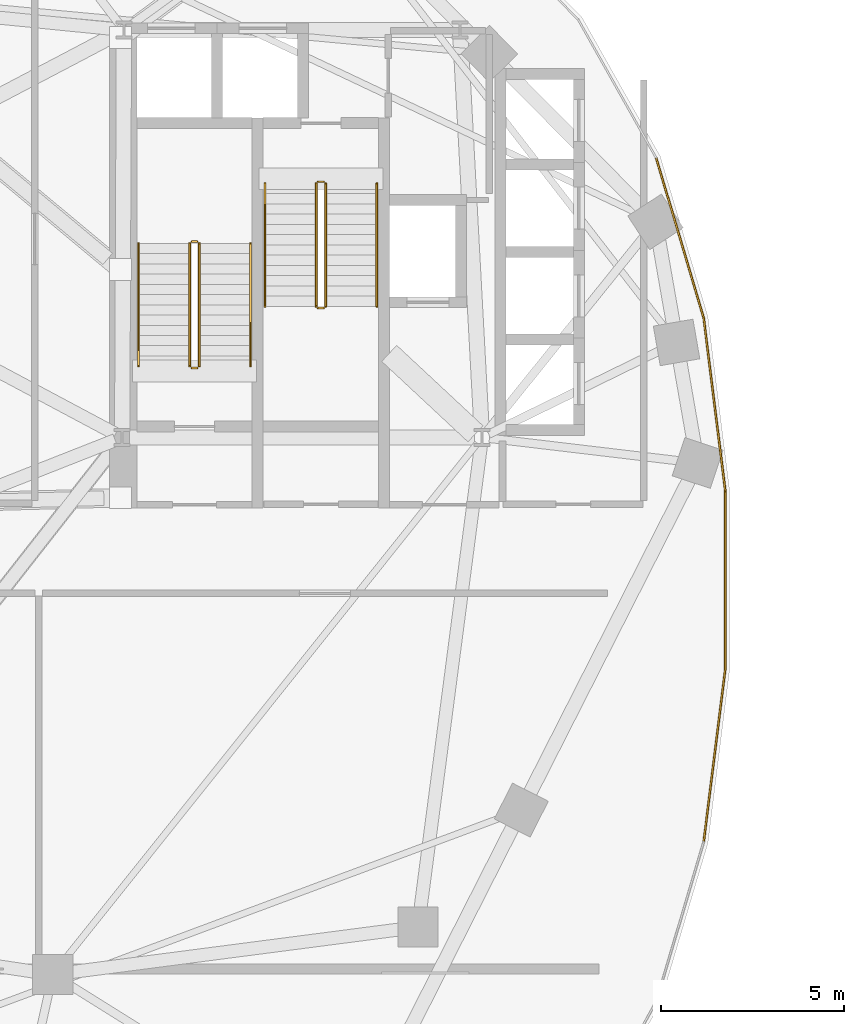
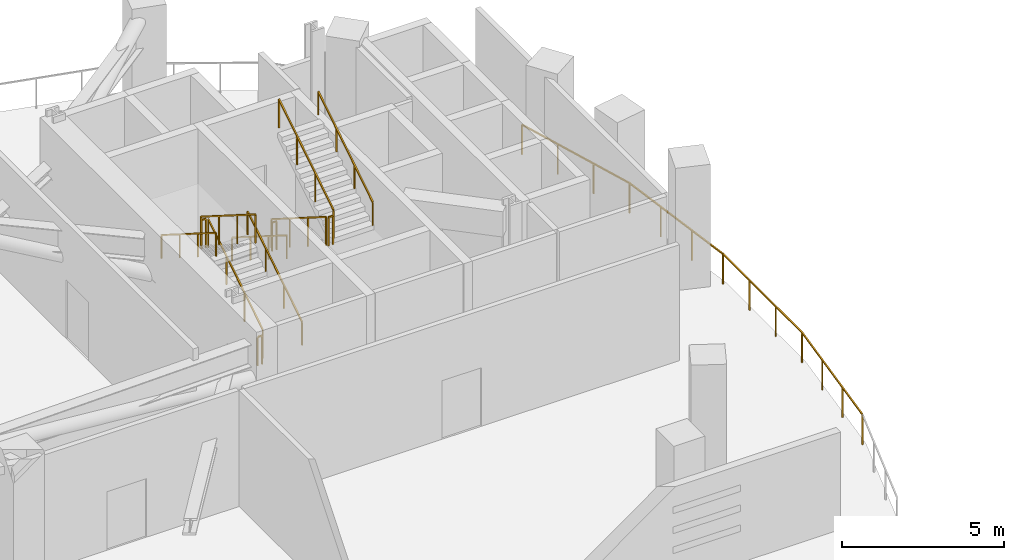
# One storey, part 9 of 12: 14 railings.
"""IFC4 building model written with IfcOpenShell, lengths in metres."""

from ifc_helpers import new_model, si_unit, direction, frame, origin, origin_2d, place, context, subcontext, project, spatial, rectangle, extrude, material, type_object, element, save


model = new_model("IFC4")

# Units and contexts
model_context = context("Model", 3, precision=1e-05, world=origin(), true_north=direction((0.0, 1.0)))
body_context = subcontext(model_context, "Body", "Model", "MODEL_VIEW")
ifc_project = project(units=[si_unit("LENGTHUNIT", "METRE"), si_unit("AREAUNIT", "SQUARE_METRE"), si_unit("VOLUMEUNIT", "CUBIC_METRE"), si_unit("PLANEANGLEUNIT", "RADIAN"), si_unit("MASSUNIT", "GRAM", prefix="KILO"), si_unit("THERMODYNAMICTEMPERATUREUNIT", "KELVIN"), si_unit("POWERUNIT", "WATT")], contexts=[model_context])

# Site, building, storey
site_placement = place(None, origin())
site = spatial("IfcSite", under=ifc_project, at=site_placement, CompositionType="ELEMENT")
building_placement = place(site_placement, origin())
building = spatial("IfcBuilding", under=site, at=building_placement, Name="Cundina Bronze Exchange", CompositionType="ELEMENT")
storey_placement = place(building_placement, frame((0.0, 0.0, 132.199951171875)))
storey = spatial("IfcBuildingStorey", under=building, at=storey_placement, Name="L34", CompositionType="ELEMENT", Elevation=132.199951171875)

# Railings
ifc_material_1 = material(Name="Anodised Bronze Aluminium 6063-T6", Category="aluminium")
railing_type_1 = type_object("IfcRailingType", Name="RLG-GRD-1150", PredefinedType="GUARDRAIL", material=ifc_material_1)
railing_1_placement = place(storey_placement, frame((-14.791015625, 2.43359375, 0.0)))
element("IfcRailing", 1, at=railing_1_placement, inside=storey, type_object=railing_type_1, Name="L34 Perimeter Safety Guardrail 01", PredefinedType="GUARDRAIL", context=body_context, shape_type="SweptSolid", body=[
    extrude(rectangle(XDim=0.048095703125, YDim=0.048095703125, at=origin_2d()), frame((0.0, 0.0, 1.1259765625), z_axis=(0.0, -1.0, 0.0), x_axis=(1.0, 0.0, 0.0)), (0.0, 0.0, 1.0), 4.8671875),
    extrude(rectangle(XDim=0.048095703125, YDim=0.048095703125, at=origin_2d()), frame((0.0, -4.8671875, 1.1259765625), z_axis=(-0.123846086367, -0.992301439529, 0.0), x_axis=(0.992301439529, -0.123846086367, 0.0)), (0.0, 0.0, 1.0), 4.778564453125),
    extrude(rectangle(XDim=0.0419921875, YDim=0.0419921875, at=origin_2d()), origin(), (0.0, 0.0, 1.0), 1.101806640625),
    extrude(rectangle(XDim=0.0419921875, YDim=0.0419921875, at=origin_2d()), frame((0.0, -1.622314453125, 0.0)), (0.0, 0.0, 1.0), 1.101806640625),
    extrude(rectangle(XDim=0.0419921875, YDim=0.0419921875, at=origin_2d()), frame((0.0, -3.244873046875, 0.0)), (0.0, 0.0, 1.0), 1.101806640625),
    extrude(rectangle(XDim=0.0419921875, YDim=0.0419921875, at=origin_2d()), frame((0.0, -4.8671875, 0.0)), (0.0, 0.0, 1.0), 1.101806640625),
    extrude(rectangle(XDim=0.0419921875, YDim=0.0419921875, at=origin_2d()), frame((-0.197265625, -6.44775390625, 0.0)), (0.0, 0.0, 1.0), 1.101806640625),
    extrude(rectangle(XDim=0.0419921875, YDim=0.0419921875, at=origin_2d()), frame((-0.39453125, -8.0283203125, 0.0)), (0.0, 0.0, 1.0), 1.101806640625),
    extrude(rectangle(XDim=0.0419921875, YDim=0.0419921875, at=origin_2d()), frame((-0.591796875, -9.60888671875, 0.0)), (0.0, 0.0, 1.0), 1.101806640625),
])
railing_2_placement = place(storey_placement, frame((-16.68310546875, 11.55078125, 0.0)))
element("IfcRailing", 2, at=railing_2_placement, inside=storey, type_object=railing_type_1, Name="L34 Perimeter Safety Guardrail 14", PredefinedType="GUARDRAIL", context=body_context, shape_type="SweptSolid", body=[
    extrude(rectangle(XDim=0.048095703125, YDim=0.048095703125, at=origin_2d()), frame((0.0, 0.0, 1.1259765625), z_axis=(0.284864013169, -0.958567939168, 0.0), x_axis=(0.958567939168, 0.284864013169, 0.0)), (0.0, 0.0, 1.0), 4.564697265625),
    extrude(rectangle(XDim=0.048095703125, YDim=0.048095703125, at=origin_2d()), frame((1.30029296875, -4.37548828125, 1.1259765625), z_axis=(0.123846086367, -0.992301439529, 0.0), x_axis=(0.992301439529, 0.123846086367, 0.0)), (0.0, 0.0, 1.0), 4.778564453125),
    extrude(rectangle(XDim=0.0419921875, YDim=0.0419921875, at=origin_2d()), origin(), (0.0, 0.0, 1.0), 1.101806640625),
    extrude(rectangle(XDim=0.0419921875, YDim=0.0419921875, at=origin_2d()), frame((0.433349609375, -1.45849609375, 0.0)), (0.0, 0.0, 1.0), 1.101806640625),
    extrude(rectangle(XDim=0.0419921875, YDim=0.0419921875, at=origin_2d()), frame((0.866943359375, -2.9169921875, 0.0)), (0.0, 0.0, 1.0), 1.101806640625),
    extrude(rectangle(XDim=0.0419921875, YDim=0.0419921875, at=origin_2d()), frame((1.30029296875, -4.37548828125, 0.0)), (0.0, 0.0, 1.0), 1.101806640625),
    extrude(rectangle(XDim=0.0419921875, YDim=0.0419921875, at=origin_2d()), frame((1.49755859375, -5.9560546875, 0.0)), (0.0, 0.0, 1.0), 1.101806640625),
    extrude(rectangle(XDim=0.0419921875, YDim=0.0419921875, at=origin_2d()), frame((1.69482421875, -7.53662109375, 0.0)), (0.0, 0.0, 1.0), 1.101806640625),
    extrude(rectangle(XDim=0.0419921875, YDim=0.0419921875, at=origin_2d()), frame((1.89208984375, -9.1171875, 0.0)), (0.0, 0.0, 1.0), 1.101806640625),
])
ifc_material_2 = material(Name="Steel ASTM A36 Painted", Category="steel")
railing_type_2 = type_object("IfcRailingType", Name="RLG-HND-900", PredefinedType="HANDRAIL", material=ifc_material_2)
railing_3_placement = place(storey_placement, frame((-27.7900390625, 5.85009765625, 0.177001953125)))
element("IfcRailing", 3, at=railing_3_placement, inside=storey, type_object=railing_type_2, Name="L34 ST-W1 stair handrail 1", PredefinedType="HANDRAIL", context=body_context, shape_type="SweptSolid", body=[
    extrude(rectangle(XDim=0.048095703125, YDim=0.048095703125, at=origin_2d()), frame((0.0, 0.0, 0.8759765625), z_axis=(0.0, 0.845372108799, 0.534177870812), x_axis=(-1.0, 0.0, 0.0)), (0.0, 0.0, 1.0), 3.974365234375),
    extrude(rectangle(XDim=0.0419921875, YDim=0.0419921875, at=origin_2d()), origin(), (0.0, 0.0, 1.0), 0.851806640625),
    extrude(rectangle(XDim=0.0419921875, YDim=0.0419921875, at=origin_2d()), frame((0.0, 1.119873046875, 0.707763671875)), (0.0, 0.0, 1.0), 0.851806640625),
    extrude(rectangle(XDim=0.0419921875, YDim=0.0419921875, at=origin_2d()), frame((0.0, 2.239990234375, 1.415283203125)), (0.0, 0.0, 1.0), 0.851806640625),
    extrude(rectangle(XDim=0.0419921875, YDim=0.0419921875, at=origin_2d()), frame((0.0, 3.35986328125, 2.123046875)), (0.0, 0.0, 1.0), 0.851806640625),
])
railing_4_placement = place(storey_placement, frame((-30.85009765625, 9.2099609375, 2.47705078125)))
element("IfcRailing", 4, at=railing_4_placement, inside=storey, type_object=railing_type_2, Name="L34 ST-W1 stair handrail 2", PredefinedType="HANDRAIL", context=body_context, shape_type="SweptSolid", body=[
    extrude(rectangle(XDim=0.048095703125, YDim=0.048095703125, at=origin_2d()), frame((0.0, 0.0, 0.8759765625), z_axis=(0.0, -0.845372108799, 0.534177870812), x_axis=(1.0, 0.0, 0.0)), (0.0, 0.0, 1.0), 3.974365234375),
    extrude(rectangle(XDim=0.0419921875, YDim=0.0419921875, at=origin_2d()), origin(), (0.0, 0.0, 1.0), 0.851806640625),
    extrude(rectangle(XDim=0.0419921875, YDim=0.0419921875, at=origin_2d()), frame((0.0, -1.119873046875, 0.707763671875)), (0.0, 0.0, 1.0), 0.851806640625),
    extrude(rectangle(XDim=0.0419921875, YDim=0.0419921875, at=origin_2d()), frame((0.0, -2.239990234375, 1.415283203125)), (0.0, 0.0, 1.0), 0.851806640625),
    extrude(rectangle(XDim=0.0419921875, YDim=0.0419921875, at=origin_2d()), frame((0.0, -3.35986328125, 2.123046875)), (0.0, 0.0, 1.0), 0.851806640625),
])
railing_5_placement = place(storey_placement, frame((-27.389892578125, 10.85009765625, 0.177001953125)))
element("IfcRailing", 5, at=railing_5_placement, inside=storey, type_object=railing_type_2, Name="L34 ST-W2 stair handrail 1", PredefinedType="HANDRAIL", context=body_context, shape_type="SweptSolid", body=[
    extrude(rectangle(XDim=0.048095703125, YDim=0.048095703125, at=origin_2d()), frame((0.0, 0.0, 0.8759765625), z_axis=(0.0, -0.845389635667, 0.534150132366), x_axis=(1.0, 0.0, 0.0)), (0.0, 0.0, 1.0), 3.974609375),
    extrude(rectangle(XDim=0.0419921875, YDim=0.0419921875, at=origin_2d()), origin(), (0.0, 0.0, 1.0), 0.851806640625),
    extrude(rectangle(XDim=0.0419921875, YDim=0.0419921875, at=origin_2d()), frame((0.0, -1.1201171875, 0.707763671875)), (0.0, 0.0, 1.0), 0.851806640625),
    extrude(rectangle(XDim=0.0419921875, YDim=0.0419921875, at=origin_2d()), frame((0.0, -2.239990234375, 1.415283203125)), (0.0, 0.0, 1.0), 0.851806640625),
    extrude(rectangle(XDim=0.0419921875, YDim=0.0419921875, at=origin_2d()), frame((0.0, -3.360107421875, 2.123046875)), (0.0, 0.0, 1.0), 0.851806640625),
])
railing_6_placement = place(storey_placement, frame((-24.330078125, 7.489990234375, 2.47705078125)))
element("IfcRailing", 6, at=railing_6_placement, inside=storey, type_object=railing_type_2, Name="L34 ST-W2 stair handrail 2", PredefinedType="HANDRAIL", context=body_context, shape_type="SweptSolid", body=[
    extrude(rectangle(XDim=0.048095703125, YDim=0.048095703125, at=origin_2d()), frame((0.0, 0.0, 0.8759765625), z_axis=(0.0, 0.845389635667, 0.534150132366), x_axis=(-1.0, 0.0, 0.0)), (0.0, 0.0, 1.0), 3.974609375),
    extrude(rectangle(XDim=0.0419921875, YDim=0.0419921875, at=origin_2d()), origin(), (0.0, 0.0, 1.0), 0.851806640625),
    extrude(rectangle(XDim=0.0419921875, YDim=0.0419921875, at=origin_2d()), frame((0.0, 1.1201171875, 0.707763671875)), (0.0, 0.0, 1.0), 0.851806640625),
    extrude(rectangle(XDim=0.0419921875, YDim=0.0419921875, at=origin_2d()), frame((0.0, 2.239990234375, 1.415283203125)), (0.0, 0.0, 1.0), 0.851806640625),
    extrude(rectangle(XDim=0.0419921875, YDim=0.0419921875, at=origin_2d()), frame((0.0, 3.360107421875, 2.123046875)), (0.0, 0.0, 1.0), 0.851806640625),
])
railing_type_3 = type_object("IfcRailingType", Name="RLG-STG-1100", PredefinedType="GUARDRAIL", material=ifc_material_2)
railing_7_placement = place(storey_placement, frame((-29.18994140625, 5.85009765625, 0.177001953125)))
element("IfcRailing", 7, at=railing_7_placement, inside=storey, type_object=railing_type_3, Name="L34 ST-W1 stair guard 1", PredefinedType="GUARDRAIL", context=body_context, shape_type="SweptSolid", body=[
    extrude(rectangle(XDim=0.048095703125, YDim=0.048095703125, at=origin_2d()), frame((0.0, 0.0, 1.076171875), z_axis=(0.0, 0.845372108799, 0.534177870812), x_axis=(-1.0, 0.0, 0.0)), (0.0, 0.0, 1.0), 3.974365234375),
    extrude(rectangle(XDim=0.0419921875, YDim=0.0419921875, at=origin_2d()), origin(), (0.0, 0.0, 1.0), 1.052001953125),
    extrude(rectangle(XDim=0.0419921875, YDim=0.0419921875, at=origin_2d()), frame((0.0, 1.119873046875, 0.707763671875)), (0.0, 0.0, 1.0), 1.052001953125),
    extrude(rectangle(XDim=0.0419921875, YDim=0.0419921875, at=origin_2d()), frame((0.0, 2.239990234375, 1.415283203125)), (0.0, 0.0, 1.0), 1.052001953125),
    extrude(rectangle(XDim=0.0419921875, YDim=0.0419921875, at=origin_2d()), frame((0.0, 3.35986328125, 2.123046875)), (0.0, 0.0, 1.0), 1.052001953125),
])
railing_8_placement = place(storey_placement, frame((-29.239990234375, 9.260009765625, 2.300048828125)))
element("IfcRailing", 8, at=railing_8_placement, inside=storey, type_object=railing_type_3, Name="L34 ST-W1 stair guard 2", PredefinedType="GUARDRAIL", context=body_context, shape_type="SweptSolid", body=[
    extrude(rectangle(XDim=0.048095703125, YDim=0.048095703125, at=origin_2d()), frame((0.0, 0.0, 1.076171875), z_axis=(-1.0, 0.0, 0.0), x_axis=(0.0, -1.0, 0.0)), (0.0, 0.0, 1.0), 0.159912109375),
    extrude(rectangle(XDim=0.0419921875, YDim=0.0419921875, at=origin_2d()), origin(), (0.0, 0.0, 1.0), 1.052001953125),
    extrude(rectangle(XDim=0.0419921875, YDim=0.0419921875, at=origin_2d()), frame((-0.159912109375, 0.0, 0.0)), (0.0, 0.0, 1.0), 1.052001953125),
])
railing_9_placement = place(storey_placement, frame((-29.449951171875, 9.2099609375, 2.47705078125)))
element("IfcRailing", 9, at=railing_9_placement, inside=storey, type_object=railing_type_3, Name="L34 ST-W1 stair guard 3", PredefinedType="GUARDRAIL", context=body_context, shape_type="SweptSolid", body=[
    extrude(rectangle(XDim=0.048095703125, YDim=0.048095703125, at=origin_2d()), frame((0.0, 0.0, 1.076171875), z_axis=(0.0, -0.845372108799, 0.534177870812), x_axis=(1.0, 0.0, 0.0)), (0.0, 0.0, 1.0), 3.974365234375),
    extrude(rectangle(XDim=0.0419921875, YDim=0.0419921875, at=origin_2d()), origin(), (0.0, 0.0, 1.0), 1.052001953125),
    extrude(rectangle(XDim=0.0419921875, YDim=0.0419921875, at=origin_2d()), frame((0.0, -1.119873046875, 0.707763671875)), (0.0, 0.0, 1.0), 1.052001953125),
    extrude(rectangle(XDim=0.0419921875, YDim=0.0419921875, at=origin_2d()), frame((0.0, -2.239990234375, 1.415283203125)), (0.0, 0.0, 1.0), 1.052001953125),
    extrude(rectangle(XDim=0.0419921875, YDim=0.0419921875, at=origin_2d()), frame((0.0, -3.35986328125, 2.123046875)), (0.0, 0.0, 1.0), 1.052001953125),
])
railing_10_placement = place(storey_placement, frame((-29.239990234375, 5.800048828125, 0.0)))
element("IfcRailing", 10, at=railing_10_placement, inside=storey, type_object=railing_type_3, Name="L34 ST-W1 stair guard 4", PredefinedType="GUARDRAIL", context=body_context, shape_type="SweptSolid", body=[
    extrude(rectangle(XDim=0.048095703125, YDim=0.048095703125, at=origin_2d()), frame((0.0, 0.0, 1.076171875), z_axis=(-1.0, 0.0, 0.0), x_axis=(0.0, -1.0, 0.0)), (0.0, 0.0, 1.0), 0.159912109375),
    extrude(rectangle(XDim=0.0419921875, YDim=0.0419921875, at=origin_2d()), origin(), (0.0, 0.0, 1.0), 1.052001953125),
    extrude(rectangle(XDim=0.0419921875, YDim=0.0419921875, at=origin_2d()), frame((-0.159912109375, 0.0, 0.0)), (0.0, 0.0, 1.0), 1.052001953125),
])
railing_11_placement = place(storey_placement, frame((-25.989990234375, 10.85009765625, 0.177001953125)))
element("IfcRailing", 11, at=railing_11_placement, inside=storey, type_object=railing_type_3, Name="L34 ST-W2 stair guard 1", PredefinedType="GUARDRAIL", context=body_context, shape_type="SweptSolid", body=[
    extrude(rectangle(XDim=0.048095703125, YDim=0.048095703125, at=origin_2d()), frame((0.0, 0.0, 1.076171875), z_axis=(0.0, -0.845389635667, 0.534150132366), x_axis=(1.0, 0.0, 0.0)), (0.0, 0.0, 1.0), 3.974609375),
    extrude(rectangle(XDim=0.0419921875, YDim=0.0419921875, at=origin_2d()), origin(), (0.0, 0.0, 1.0), 1.052001953125),
    extrude(rectangle(XDim=0.0419921875, YDim=0.0419921875, at=origin_2d()), frame((0.0, -1.1201171875, 0.707763671875)), (0.0, 0.0, 1.0), 1.052001953125),
    extrude(rectangle(XDim=0.0419921875, YDim=0.0419921875, at=origin_2d()), frame((0.0, -2.239990234375, 1.415283203125)), (0.0, 0.0, 1.0), 1.052001953125),
    extrude(rectangle(XDim=0.0419921875, YDim=0.0419921875, at=origin_2d()), frame((0.0, -3.360107421875, 2.123046875)), (0.0, 0.0, 1.0), 1.052001953125),
])
railing_12_placement = place(storey_placement, frame((-25.93994140625, 7.43994140625, 2.300048828125)))
element("IfcRailing", 12, at=railing_12_placement, inside=storey, type_object=railing_type_3, Name="L34 ST-W2 stair guard 2", PredefinedType="GUARDRAIL", context=body_context, shape_type="SweptSolid", body=[
    extrude(rectangle(XDim=0.048095703125, YDim=0.048095703125, at=origin_2d()), frame((0.0, 0.0, 1.076171875), z_axis=(1.0, 0.0, 0.0), x_axis=(0.0, 1.0, 0.0)), (0.0, 0.0, 1.0), 0.159912109375),
    extrude(rectangle(XDim=0.0419921875, YDim=0.0419921875, at=origin_2d()), origin(), (0.0, 0.0, 1.0), 1.052001953125),
    extrude(rectangle(XDim=0.0419921875, YDim=0.0419921875, at=origin_2d()), frame((0.159912109375, 0.0, 0.0)), (0.0, 0.0, 1.0), 1.052001953125),
])
railing_13_placement = place(storey_placement, frame((-25.72998046875, 7.489990234375, 2.47705078125)))
element("IfcRailing", 13, at=railing_13_placement, inside=storey, type_object=railing_type_3, Name="L34 ST-W2 stair guard 3", PredefinedType="GUARDRAIL", context=body_context, shape_type="SweptSolid", body=[
    extrude(rectangle(XDim=0.048095703125, YDim=0.048095703125, at=origin_2d()), frame((0.0, 0.0, 1.076171875), z_axis=(0.0, 0.845389635667, 0.534150132366), x_axis=(-1.0, 0.0, 0.0)), (0.0, 0.0, 1.0), 3.974609375),
    extrude(rectangle(XDim=0.0419921875, YDim=0.0419921875, at=origin_2d()), origin(), (0.0, 0.0, 1.0), 1.052001953125),
    extrude(rectangle(XDim=0.0419921875, YDim=0.0419921875, at=origin_2d()), frame((0.0, 1.1201171875, 0.707763671875)), (0.0, 0.0, 1.0), 1.052001953125),
    extrude(rectangle(XDim=0.0419921875, YDim=0.0419921875, at=origin_2d()), frame((0.0, 2.239990234375, 1.415283203125)), (0.0, 0.0, 1.0), 1.052001953125),
    extrude(rectangle(XDim=0.0419921875, YDim=0.0419921875, at=origin_2d()), frame((0.0, 3.360107421875, 2.123046875)), (0.0, 0.0, 1.0), 1.052001953125),
])
railing_14_placement = place(storey_placement, frame((-25.93994140625, 10.89990234375, 0.0)))
element("IfcRailing", 14, at=railing_14_placement, inside=storey, type_object=railing_type_3, Name="L34 ST-W2 stair guard 4", PredefinedType="GUARDRAIL", context=body_context, shape_type="SweptSolid", body=[
    extrude(rectangle(XDim=0.048095703125, YDim=0.048095703125, at=origin_2d()), frame((0.0, 0.0, 1.076171875), z_axis=(1.0, 0.0, 0.0), x_axis=(0.0, 1.0, 0.0)), (0.0, 0.0, 1.0), 0.159912109375),
    extrude(rectangle(XDim=0.0419921875, YDim=0.0419921875, at=origin_2d()), origin(), (0.0, 0.0, 1.0), 1.052001953125),
    extrude(rectangle(XDim=0.0419921875, YDim=0.0419921875, at=origin_2d()), frame((0.159912109375, 0.0, 0.0)), (0.0, 0.0, 1.0), 1.052001953125),
])

save(model, "model.ifc")
